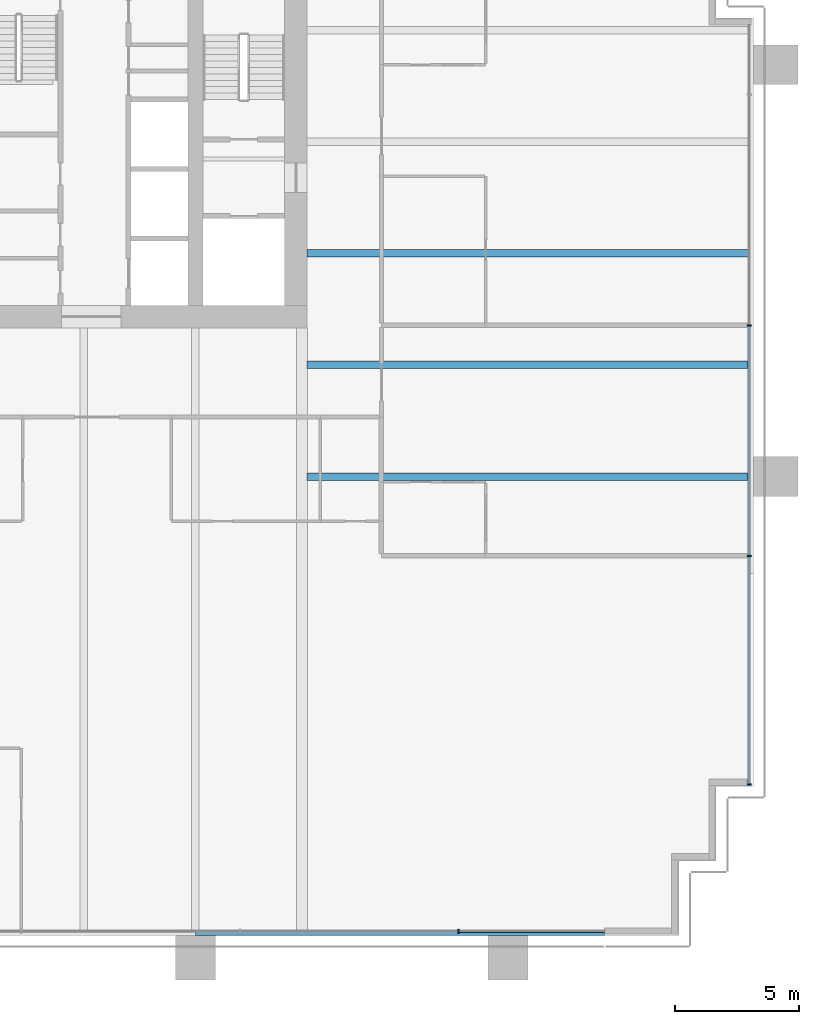
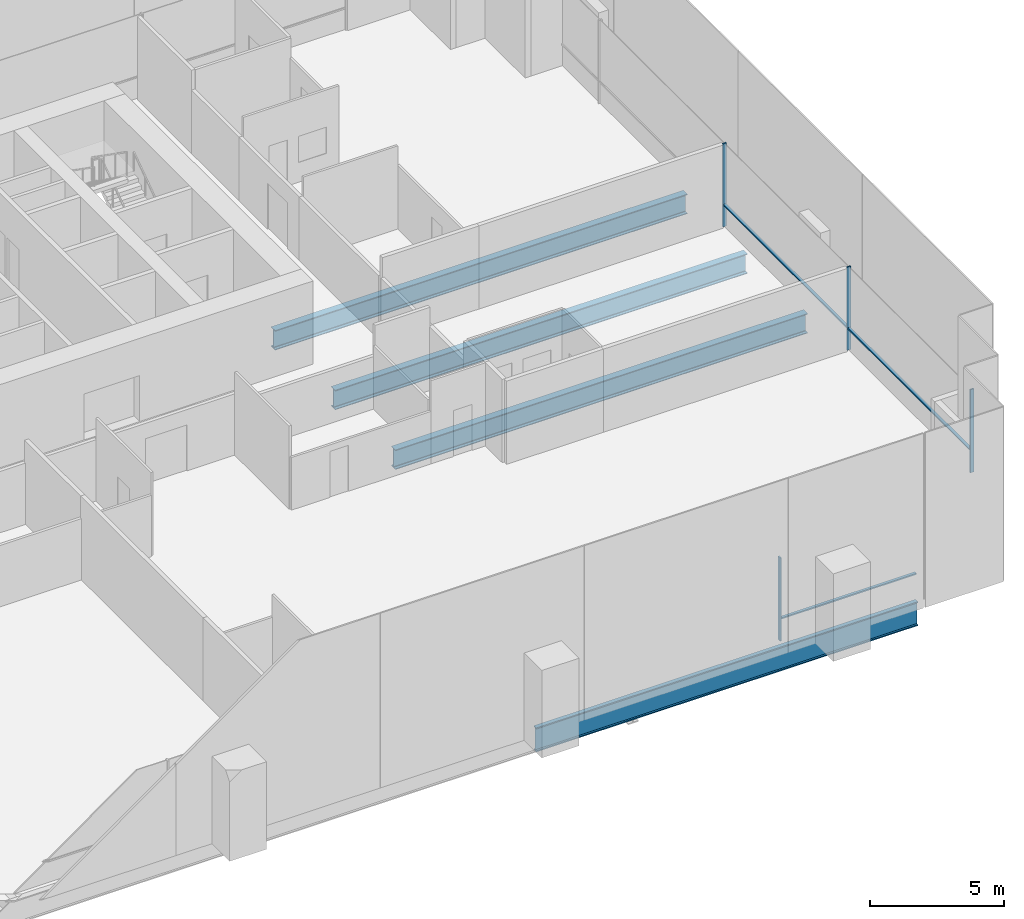
# One storey, part 6 of 19: 7 members, 4 beams, 2 elements without a shape of their own.
"""IFC4 building model written with IfcOpenShell, lengths in metres."""

from ifc_helpers import new_model, si_unit, direction, frame, origin, origin_2d, place, context, subcontext, project, spatial, rectangle, i_section, extrude, material, material_profile, profile_set, type_object, element, aggregate, save


model = new_model("IFC4")

# Units and contexts
model_context = context("Model", 3, precision=1e-05, world=origin(), true_north=direction((0.0, 1.0)))
body_context = subcontext(model_context, "Body", "Model", "MODEL_VIEW")
ifc_project = project(units=[si_unit("LENGTHUNIT", "METRE"), si_unit("AREAUNIT", "SQUARE_METRE"), si_unit("VOLUMEUNIT", "CUBIC_METRE"), si_unit("PLANEANGLEUNIT", "RADIAN"), si_unit("MASSUNIT", "GRAM", prefix="KILO")], contexts=[model_context])

# Site, building, storey
site_placement = place(None, origin())
site = spatial("IfcSite", under=ifc_project, at=site_placement, CompositionType="ELEMENT")
building_placement = place(site_placement, origin())
building = spatial("IfcBuilding", under=site, at=building_placement, Name="Rattan Terrace Tower", CompositionType="ELEMENT")
storey_placement = place(building_placement, frame((0.0, 0.0, 79.699951171875)))
storey = spatial("IfcBuildingStorey", under=building, at=storey_placement, Name="L17", CompositionType="ELEMENT", Elevation=79.699951171875)

# Curtain wall, members
ifc_material_1 = material(Name="Aluminium and glass", Category="aluminium")
curtain_wall_type = type_object("IfcCurtainWallType", Name="Facade Unitised Curtain Wall", PredefinedType="NOTDEFINED", material=ifc_material_1)
curtain_wall_1_placement = place(storey_placement, origin())
curtain_wall_1 = element("IfcCurtainWall", 1, at=curtain_wall_1_placement, inside=storey, type_object=curtain_wall_type, Name="Curtain wall L17-1", PredefinedType="NOTDEFINED")
ifc_material_2 = material(Name="Aluminium", Category="aluminium")
ifc_material_profile_1 = material_profile(ifc_material_2, rectangle(XDim=0.06005859375, YDim=0.159912109375, at=origin_2d()), Name="Aluminium 60x160")
ifc_profile_set_1 = profile_set([ifc_material_profile_1], Name="Aluminium")
member_type_1 = type_object("IfcMemberType", Name="Facade CW Mullion 60x160", PredefinedType="MULLION", material=ifc_profile_set_1)
member_1_placement = place(storey_placement, frame((35.830078125, -25.925048828125, 0.0), z_axis=(0.0, 0.0, 1.0), x_axis=(0.0, 1.0, 0.0)))
member_1 = element("IfcMember", 2, at=member_1_placement, type_object=member_type_1, Name="Mullion cwl-L17-001.1", PredefinedType="MULLION", context=body_context, shape_type="SweptSolid", body=[
    extrude(rectangle(XDim=0.06005859375, YDim=0.159912109375, at=origin_2d()), origin(), (0.0, 0.0, 1.0), 3.800048828125),
])
member_2_placement = place(storey_placement, frame((35.830078125, -16.699951171875, 0.0), z_axis=(0.0, 0.0, 1.0), x_axis=(0.0, 1.0, 0.0)))
member_2 = element("IfcMember", 3, at=member_2_placement, type_object=member_type_1, Name="Mullion cwl-L17-001.2", PredefinedType="MULLION", context=body_context, shape_type="SweptSolid", body=[
    extrude(rectangle(XDim=0.06005859375, YDim=0.159912109375, at=origin_2d()), origin(), (0.0, 0.0, 1.0), 3.800048828125),
])
member_3_placement = place(storey_placement, frame((35.830078125, -7.39990234375, 0.0), z_axis=(0.0, 0.0, 1.0), x_axis=(0.0, 1.0, 0.0)))
member_3 = element("IfcMember", 4, at=member_3_placement, type_object=member_type_1, Name="Mullion cwl-L17-001.3", PredefinedType="MULLION", context=body_context, shape_type="SweptSolid", body=[
    extrude(rectangle(XDim=0.06005859375, YDim=0.159912109375, at=origin_2d()), origin(), (0.0, 0.0, 1.0), 3.800048828125),
])

# Curtain wall, member
curtain_wall_2_placement = place(storey_placement, origin())
curtain_wall_2 = element("IfcCurtainWall", 5, at=curtain_wall_2_placement, inside=storey, type_object=curtain_wall_type, Name="Curtain wall L17-4", PredefinedType="NOTDEFINED")
member_4_placement = place(storey_placement, frame((24.114990234375, -31.830078125, 0.0), z_axis=(0.0, 0.0, 1.0), x_axis=(1.0, 0.0, 0.0)))
member_4 = element("IfcMember", 6, at=member_4_placement, type_object=member_type_1, Name="Mullion cwl-L17-004.6", PredefinedType="MULLION", context=body_context, shape_type="SweptSolid", body=[
    extrude(rectangle(XDim=0.06005859375, YDim=0.159912109375, at=origin_2d()), origin(), (0.0, 0.0, 1.0), 3.800048828125),
])

# Member
ifc_material_3 = material(Name="Aluminium", Category="aluminium")
ifc_material_profile_2 = material_profile(ifc_material_3, rectangle(XDim=0.1201171875, YDim=0.06005859375, at=origin_2d()), Name="Aluminium 120x60")
ifc_profile_set_2 = profile_set([ifc_material_profile_2], Name="Aluminium")
member_type_2 = type_object("IfcMemberType", Name="Facade CW Transom 120x60", PredefinedType="USERDEFINED", material=ifc_profile_set_2)
member_5_placement = place(storey_placement, frame((35.830078125, -25.89501953125, 1.0), z_axis=(0.0, 1.0, 0.0), x_axis=(-1.0, 0.0, 0.0)))
member_5 = element("IfcMember", 7, at=member_5_placement, type_object=member_type_2, Name="Transom cwl-L17-001.1", ObjectType="TRANSOM", PredefinedType="USERDEFINED", context=body_context, shape_type="SweptSolid", body=[
    extrude(rectangle(XDim=0.1201171875, YDim=0.06005859375, at=origin_2d()), origin(), (0.0, 0.0, 1.0), 9.1650390625),
])

member_6_placement = place(storey_placement, frame((35.830078125, -16.669921875, 1.0), z_axis=(0.0, 1.0, 0.0), x_axis=(-1.0, 0.0, 0.0)))
member_6 = element("IfcMember", 8, at=member_6_placement, type_object=member_type_2, Name="Transom cwl-L17-001.2", ObjectType="TRANSOM", PredefinedType="USERDEFINED", context=body_context, shape_type="SweptSolid", body=[
    extrude(rectangle(XDim=0.1201171875, YDim=0.06005859375, at=origin_2d()), origin(), (0.0, 0.0, 1.0), 9.239990234375),
])

aggregate(curtain_wall_1, [member_1, member_2, member_3, member_5, member_6])

member_7_placement = place(storey_placement, frame((24.14501953125, -31.830078125, 1.0), z_axis=(1.0, 0.0, 0.0), x_axis=(0.0, 1.0, 0.0)))
member_7 = element("IfcMember", 9, at=member_7_placement, type_object=member_type_2, Name="Transom cwl-L17-004.6", ObjectType="TRANSOM", PredefinedType="USERDEFINED", context=body_context, shape_type="SweptSolid", body=[
    extrude(rectangle(XDim=0.1201171875, YDim=0.06005859375, at=origin_2d()), origin(), (0.0, 0.0, 1.0), 5.85498046875),
])

aggregate(curtain_wall_2, [member_4, member_7])

# Beams
ifc_material_4 = material(Name="Steel S460", Category="steel")
ifc_material_profile_3 = material_profile(ifc_material_4, i_section(OverallWidth=0.179931640625, OverallDepth=1.10009765625, WebThickness=0.01611328125, FlangeThickness=0.050048828125, at=origin_2d()), Name="PG 1100x180-16-50")
ifc_profile_set_3 = profile_set([ifc_material_profile_3], Name="Steel S460")
beam_type_1 = type_object("IfcBeamType", Name="Frame edge girder PG 1100x180-16-50", PredefinedType="SPANDREL", material=ifc_profile_set_3)
beam_placement = place(storey_placement, frame((30.0, -31.909912109375, -0.75), z_axis=(-1.0, 0.0, 0.0), x_axis=(0.0, -1.0, 0.0)))
element("IfcBeam", 10, at=beam_placement, inside=storey, type_object=beam_type_1, Name="gdr-L17-003", PredefinedType="SPANDREL", context=body_context, shape_type="SweptSolid", body=[
    extrude(i_section(OverallWidth=0.179931640625, OverallDepth=1.10009765625, WebThickness=0.01611328125, FlangeThickness=0.050048828125, at=origin_2d()), origin(), (0.0, 0.0, 1.0), 16.5),
])
ifc_material_5 = material(Name="Steel S355", Category="steel")
ifc_material_profile_4 = material_profile(ifc_material_5, i_section(OverallWidth=0.300048828125, OverallDepth=0.89990234375, WebThickness=0.0185546875, FlangeThickness=0.034912109375, FilletRadius=0.030029296875, at=origin_2d()), Name="HE 900 B")
ifc_profile_set_4 = profile_set([ifc_material_profile_4], Name="Steel S355")
beam_type_2 = type_object("IfcBeamType", Name="Frame floor beam HE 900 B", PredefinedType="JOIST", material=ifc_profile_set_4)
for number, where, z_axis, x_axis, name in (
    (11, (18.0, -13.5, -0.64990234375), (1.0, 0.0, 0.0), (0.0, 1.0, 0.0), "bm-L17-010"),
    (12, (18.0, -9.0, -0.64990234375), (1.0, 0.0, 0.0), (0.0, 1.0, 0.0), "bm-L17-011"),
    (13, (18.0, -4.5, -0.64990234375), (1.0, 0.0, 0.0), (0.0, 1.0, 0.0), "bm-L17-013"),
):
    element("IfcBeam", number, at=place(storey_placement, frame(where, z_axis=z_axis, x_axis=x_axis)), inside=storey, type_object=beam_type_2, Name=name, PredefinedType="JOIST", context=body_context, shape_type="SweptSolid", body=[
        extrude(i_section(OverallWidth=0.300048828125, OverallDepth=0.89990234375, WebThickness=0.0185546875, FlangeThickness=0.034912109375, FilletRadius=0.030029296875, at=origin_2d()), origin(), (0.0, 0.0, 1.0), 17.820068359375),
    ])

save(model, "model.ifc")
